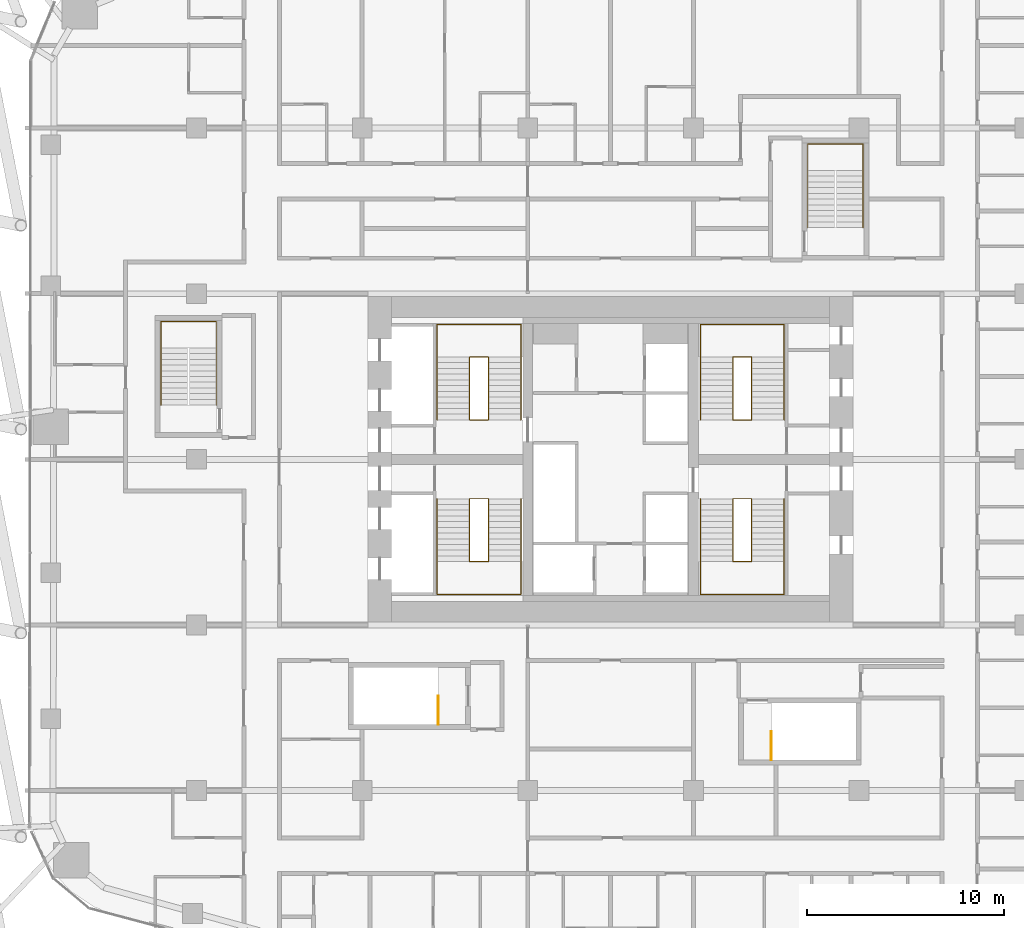
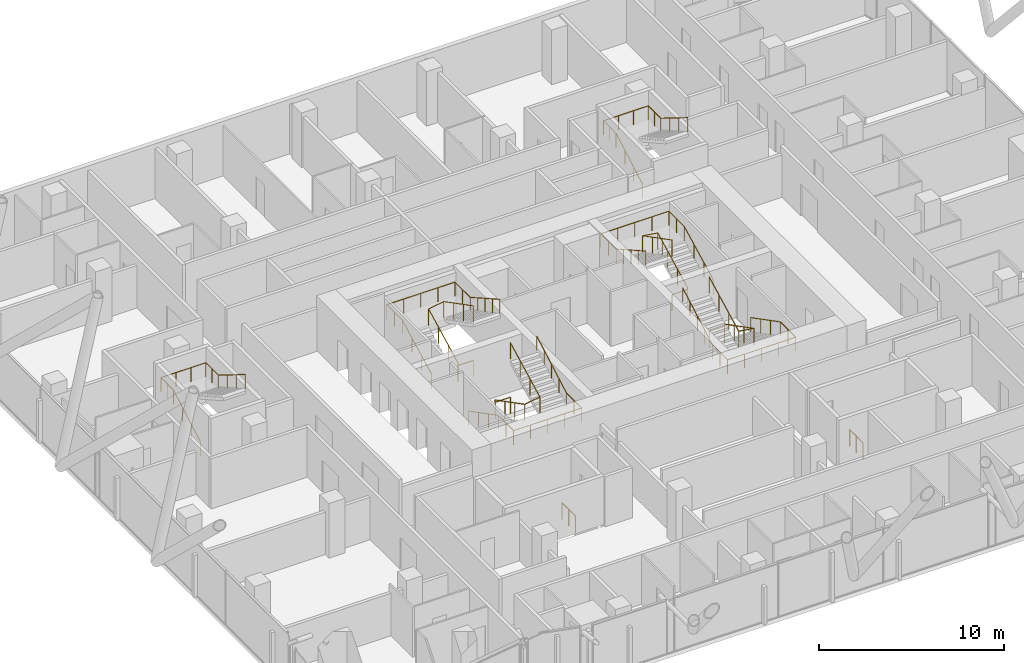
# One storey, part 36 of 36: 12 railings.
"""IFC4 building model written with IfcOpenShell, lengths in metres."""

import ifcopenshell
import ifcopenshell.guid

model = None  # the IFC model being written
_history = None  # IfcOwnerHistory: only IFC2X3 demands one
_inside = {}  # id of a spatial element -> (the spatial element, [elements in it])
_under = {}  # id of a project, library or spatial element -> (it, [spatial elements below it])
_declared = {}  # id of a project -> (the project, [libraries it declares])
_typed = {}  # id of a type object -> (the type object, [elements of that type])
_made_of = {}  # id of a material, layer set ... -> (it, [elements and type objects made of it])


def new_model(schema):
    """Start an empty IFC model of exactly this schema.

    Asked for "IFC4X3", IfcOpenShell would pick the latest addendum, in which some entities
    have other attributes; the version numbers below select the first issue.
    IFC2X3 requires an IfcOwnerHistory on every rooted entity: one is made here for all.
    """
    global model, _history
    if schema == "IFC4X3":
        model = ifcopenshell.file(schema_version=(4, 3, 0, 0))
    else:
        model = ifcopenshell.file(schema=schema)
    _inside.clear()
    _under.clear()
    _declared.clear()
    _typed.clear()
    _made_of.clear()
    _history = None
    if model.schema == "IFC2X3":
        org = make("IfcOrganization", Name="unknown")
        user = make(
            "IfcPersonAndOrganization",
            ThePerson=make("IfcPerson", FamilyName="unknown"),
            TheOrganization=org,
        )
        app = make(
            "IfcApplication",
            ApplicationDeveloper=org,
            Version="unknown",
            ApplicationFullName="unknown",
            ApplicationIdentifier="unknown",
        )
        _history = make(
            "IfcOwnerHistory",
            OwningUser=user,
            OwningApplication=app,
            ChangeAction="ADDED",
            CreationDate=0,
        )
    return model


def make(cls, **values):
    """One entity of the class cls with the attributes given. An attribute that is None is left unset."""
    return model.create_entity(
        cls, **{name: value for name, value in values.items() if value is not None}
    )


def rooted(cls, **values):
    """An entity with a GlobalId (a new one), such as an element, a storey or a relation."""
    return make(cls, GlobalId=ifcopenshell.guid.new(), OwnerHistory=_history, **values)


def si_unit(unit_type, name, prefix=None):
    """IfcSIUnit, for example si_unit("LENGTHUNIT", "METRE", prefix="MILLI")."""
    return make("IfcSIUnit", UnitType=unit_type, Prefix=prefix, Name=name)


def assignment(units):
    """IfcUnitAssignment: the units of a project."""
    return None if units is None else make("IfcUnitAssignment", Units=units)


def point(xyz):
    """IfcCartesianPoint."""
    return None if xyz is None else make("IfcCartesianPoint", Coordinates=xyz)


def direction(xyz):
    """IfcDirection."""
    return None if xyz is None else make("IfcDirection", DirectionRatios=xyz)


def frame(location, z_axis=None, x_axis=None):
    """IfcAxis2Placement3D, a coordinate frame: its origin and axes. An axis left out is left unset."""
    return make(
        "IfcAxis2Placement3D",
        Location=point(location),
        Axis=direction(z_axis),
        RefDirection=direction(x_axis),
    )


def frame_2d(location, x_axis=None):
    """IfcAxis2Placement2D, a coordinate frame in the plane: its origin and x axis."""
    return make(
        "IfcAxis2Placement2D", Location=point(location), RefDirection=direction(x_axis)
    )


def origin():
    """The frame at (0, 0, 0) with its axes left unset."""
    return frame((0.0, 0.0, 0.0))


def origin_2d():
    """The frame at (0, 0) in the plane with its x axis left unset."""
    return frame_2d((0.0, 0.0))


def place(relative_to, where):
    """IfcLocalPlacement: puts the frame where relative to a parent placement (None: the world)."""
    return make(
        "IfcLocalPlacement", PlacementRelTo=relative_to, RelativePlacement=where
    )


def context(
    kind, dimensions, precision=None, world=None, true_north=None, identifier=None
):
    """IfcGeometricRepresentationContext, for example the 3D "Model" context."""
    return make(
        "IfcGeometricRepresentationContext",
        ContextIdentifier=identifier,
        ContextType=kind,
        CoordinateSpaceDimension=dimensions,
        Precision=precision,
        WorldCoordinateSystem=world,
        TrueNorth=true_north,
    )


def subcontext(parent, identifier, kind, view, scale=None):
    """IfcGeometricRepresentationSubContext, for example "Body" below "Model"."""
    return make(
        "IfcGeometricRepresentationSubContext",
        ContextIdentifier=identifier,
        ContextType=kind,
        ParentContext=parent,
        TargetScale=scale,
        TargetView=view,
    )


def project(units=None, contexts=None):
    """IfcProject with its units and contexts."""
    return rooted(
        "IfcProject",
        Name="project",
        RepresentationContexts=contexts,
        UnitsInContext=assignment(units),
    )


def spatial(cls, under=None, at=None, **own):
    """A site, building, storey or space (cls), placed at a placement, below another one or the project."""
    s = rooted(cls, ObjectPlacement=at, **own)
    if under is not None:
        _under.setdefault(under.id(), (under, []))[1].append(s)
    return s


def profile(cls, at=None, kind="AREA", **sizes):
    """A parametric profile (cls). Its sizes go by their IFC names, for example OverallWidth=200.0."""
    return make(cls, ProfileType=kind, Position=at, **sizes)


def circle(**sizes):
    """IfcCircleProfileDef."""
    return profile("IfcCircleProfileDef", **sizes)


def extrude(swept, where, along, depth):
    """IfcExtrudedAreaSolid: the profile swept, set in the frame where, extruded along a direction by depth."""
    return make(
        "IfcExtrudedAreaSolid",
        SweptArea=swept,
        Position=where,
        ExtrudedDirection=direction(along),
        Depth=depth,
    )


def shape(context_of_items, identifier, shape_type, items):
    """IfcShapeRepresentation: the items that make up one representation, for example the "Body"."""
    return make(
        "IfcShapeRepresentation",
        ContextOfItems=context_of_items,
        RepresentationIdentifier=identifier,
        RepresentationType=shape_type,
        Items=items,
    )


def material(Name=None, Category=None):
    """IfcMaterial."""
    return make("IfcMaterial", Name=Name, Category=Category)


def made_of(thing, what):
    """Note that an element or type object is made of a material, layer set ...; save() writes the relation."""
    if what is not None:
        _made_of.setdefault(what.id(), (what, []))[1].append(thing)
    return thing


def type_object(cls, material=None, **own):
    """A type object (cls), such as IfcWallType, which elements share."""
    return made_of(rooted(cls, **own), material)


def element(
    cls,
    number,
    at=None,
    inside=None,
    cuts=None,
    type_object=None,
    material=None,
    context=None,
    identifier="Body",
    shape_type=None,
    held_by="IfcProductDefinitionShape",
    body=None,
    shapes=None,
    **own,
):
    """One element of the class cls, such as IfcWall. Its Tag is "e" and its number.

    at: its placement. inside: the storey or other place that contains it. cuts: it is an
    opening in that element (IfcRelVoidsElement). A single representation is given by context,
    identifier, shape_type and body (its items); several are given by shapes. held_by: the class
    of the entity that holds the representations. save() writes the other relations.
    """
    e = rooted(cls, Tag="e%d" % number, ObjectPlacement=at, **own)
    if body is not None:
        shapes = [shape(context, identifier, shape_type, body)]
    if shapes is not None:
        e.Representation = make(held_by, Representations=shapes)
    if inside is not None:
        _inside.setdefault(inside.id(), (inside, []))[1].append(e)
    if cuts is not None:
        rooted(
            "IfcRelVoidsElement", RelatingBuildingElement=cuts, RelatedOpeningElement=e
        )
    if type_object is not None:
        _typed.setdefault(type_object.id(), (type_object, []))[1].append(e)
    return made_of(e, material)


def aggregate(whole, parts):
    """IfcRelAggregates: a whole, such as a stair, and the parts it consists of."""
    return rooted("IfcRelAggregates", RelatingObject=whole, RelatedObjects=parts)


def save(model, path):
    """Write the relations noted so far, then the file.

    IfcRelAggregates (storeys below a building ...), IfcRelContainedInSpatialStructure (elements
    in a storey), IfcRelDefinesByType, IfcRelAssociatesMaterial and IfcRelDeclares: one each for
    every whole, place, type object, material and project.
    """
    for whole, parts in _under.values():
        aggregate(whole, parts)
    for where, things in _inside.values():
        rooted(
            "IfcRelContainedInSpatialStructure",
            RelatedElements=things,
            RelatingStructure=where,
        )
    for kind, things in _typed.values():
        rooted("IfcRelDefinesByType", RelatedObjects=things, RelatingType=kind)
    for what, things in _made_of.values():
        rooted("IfcRelAssociatesMaterial", RelatedObjects=things, RelatingMaterial=what)
    for by, libraries in _declared.values():
        rooted("IfcRelDeclares", RelatingContext=by, RelatedDefinitions=libraries)
    model.write(path)


model = new_model("IFC4")

# Units and contexts
model_context = context("Model", 3, precision=1e-05, world=origin(), true_north=direction((0.0, 1.0)))
body_context = subcontext(model_context, "Body", "Model", "MODEL_VIEW")
ifc_project = project(units=[si_unit("LENGTHUNIT", "METRE"), si_unit("AREAUNIT", "SQUARE_METRE"), si_unit("VOLUMEUNIT", "CUBIC_METRE"), si_unit("PLANEANGLEUNIT", "RADIAN"), si_unit("MASSUNIT", "GRAM", prefix="KILO")], contexts=[model_context])

# Site, building, storey
site_placement = place(None, origin())
site = spatial("IfcSite", under=ifc_project, at=site_placement, CompositionType="ELEMENT")
building_placement = place(site_placement, origin())
building = spatial("IfcBuilding", under=site, at=building_placement, Name="Marenta Gate Hotel Tower", CompositionType="ELEMENT")
storey_placement = place(building_placement, frame((0.0, 0.0, 83.300048828125)))
storey = spatial("IfcBuildingStorey", under=building, at=storey_placement, Name="L19", CompositionType="ELEMENT", Elevation=83.300048828125)

# Railings
ifc_material_1 = material(Name="Stainless steel", Category="steel")
railing_type_1 = type_object("IfcRailingType", Name="Core stair handrail 950", PredefinedType="HANDRAIL", material=ifc_material_1)
railing_1_placement = place(storey_placement, frame((-8.800048828125, 6.39990234375, 0.14990234375)))
element("IfcRailing", 1, at=railing_1_placement, inside=storey, type_object=railing_type_1, Name="HR-950 L19-KR-ST1-1", PredefinedType="HANDRAIL", context=body_context, shape_type="SweptSolid", body=[
    extrude(circle(Radius=0.02392578125, at=origin_2d()), frame((0.0, 0.0, 0.92578125), z_axis=(0.0, -0.888197555067, 0.459461753765), x_axis=(1.0, 0.0, 0.0)), (0.0, 0.0, 1.0), 3.591552734375),
    extrude(circle(Radius=0.02392578125, at=origin_2d()), frame((0.0, -3.18994140625, 2.576171875), z_axis=(0.0, -1.0, 0.0), x_axis=(1.0, 0.0, 0.0)), (0.0, 0.0, 1.0), 1.659912109375),
    extrude(circle(Radius=0.02392578125, at=origin_2d()), frame((0.0, -4.849853515625, 2.576171875), z_axis=(1.0, 0.0, 0.0), x_axis=(0.0, 1.0, 0.0)), (0.0, 0.0, 1.0), 4.25),
    extrude(circle(Radius=0.02392578125, at=origin_2d()), frame((4.25, -4.849853515625, 2.576171875), z_axis=(0.0, 1.0, 0.0), x_axis=(-1.0, 0.0, 0.0)), (0.0, 0.0, 1.0), 1.659912109375),
    extrude(circle(Radius=0.02392578125, at=origin_2d()), frame((4.25, -3.18994140625, 2.576171875), z_axis=(0.0, 0.870937506535, 0.491393792911), x_axis=(-1.0, 0.0, 0.0)), (0.0, 0.0, 1.0), 3.66259765625),
    extrude(circle(Radius=0.02099609375, at=origin_2d()), origin(), (0.0, 0.0, 1.0), 0.90185546875),
    extrude(circle(Radius=0.02099609375, at=origin_2d()), frame((0.0, -1.063232421875, 0.550048828125)), (0.0, 0.0, 1.0), 0.90185546875),
    extrude(circle(Radius=0.02099609375, at=origin_2d()), frame((0.0, -2.126708984375, 1.10009765625)), (0.0, 0.0, 1.0), 0.90185546875),
    extrude(circle(Radius=0.02099609375, at=origin_2d()), frame((0.0, -3.18994140625, 1.650146484375)), (0.0, 0.0, 1.0), 0.90185546875),
    extrude(circle(Radius=0.02099609375, at=origin_2d()), frame((0.0, -4.02001953125, 1.650146484375)), (0.0, 0.0, 1.0), 0.90185546875),
    extrude(circle(Radius=0.02099609375, at=origin_2d()), frame((0.0, -4.849853515625, 1.650146484375)), (0.0, 0.0, 1.0), 0.90185546875),
    extrude(circle(Radius=0.02099609375, at=origin_2d()), frame((1.0625, -4.849853515625, 1.650146484375)), (0.0, 0.0, 1.0), 0.90185546875),
    extrude(circle(Radius=0.02099609375, at=origin_2d()), frame((2.125, -4.849853515625, 1.650146484375)), (0.0, 0.0, 1.0), 0.90185546875),
    extrude(circle(Radius=0.02099609375, at=origin_2d()), frame((3.1875, -4.849853515625, 1.650146484375)), (0.0, 0.0, 1.0), 0.90185546875),
    extrude(circle(Radius=0.02099609375, at=origin_2d()), frame((4.25, -4.849853515625, 1.650146484375)), (0.0, 0.0, 1.0), 0.90185546875),
    extrude(circle(Radius=0.02099609375, at=origin_2d()), frame((4.25, -4.02001953125, 1.650146484375)), (0.0, 0.0, 1.0), 0.90185546875),
    extrude(circle(Radius=0.02099609375, at=origin_2d()), frame((4.25, -3.18994140625, 1.650146484375)), (0.0, 0.0, 1.0), 0.90185546875),
    extrude(circle(Radius=0.02099609375, at=origin_2d()), frame((4.25, -2.392578125, 2.10009765625)), (0.0, 0.0, 1.0), 0.90185546875),
    extrude(circle(Radius=0.02099609375, at=origin_2d()), frame((4.25, -1.594970703125, 2.550048828125)), (0.0, 0.0, 1.0), 0.90185546875),
    extrude(circle(Radius=0.02099609375, at=origin_2d()), frame((4.25, -0.79736328125, 3.0)), (0.0, 0.0, 1.0), 0.90185546875),
    extrude(circle(Radius=0.02099609375, at=origin_2d()), frame((4.25, 0.0, 3.449951171875)), (0.0, 0.0, 1.0), 0.90185546875),
])
railing_2_placement = place(storey_placement, frame((-8.800048828125, 10.39990234375, 0.14990234375)))
element("IfcRailing", 2, at=railing_2_placement, inside=storey, type_object=railing_type_1, Name="HR-950 L19-KR-ST2-1", PredefinedType="HANDRAIL", context=body_context, shape_type="SweptSolid", body=[
    extrude(circle(Radius=0.02392578125, at=origin_2d()), frame((0.0, 0.0, 0.92578125), z_axis=(0.0, 0.888211904222, 0.459434013977), x_axis=(-1.0, 0.0, 0.0)), (0.0, 0.0, 1.0), 3.591796875),
    extrude(circle(Radius=0.02392578125, at=origin_2d()), frame((0.0, 3.190185546875, 2.576171875), z_axis=(0.0, 1.0, 0.0), x_axis=(-1.0, 0.0, 0.0)), (0.0, 0.0, 1.0), 1.659912109375),
    extrude(circle(Radius=0.02392578125, at=origin_2d()), frame((0.0, 4.85009765625, 2.576171875), z_axis=(1.0, 0.0, 0.0), x_axis=(0.0, 1.0, 0.0)), (0.0, 0.0, 1.0), 4.25),
    extrude(circle(Radius=0.02392578125, at=origin_2d()), frame((4.25, 4.85009765625, 2.576171875), z_axis=(0.0, -1.0, 0.0), x_axis=(1.0, 0.0, 0.0)), (0.0, 0.0, 1.0), 1.659912109375),
    extrude(circle(Radius=0.02392578125, at=origin_2d()), frame((4.25, 3.190185546875, 2.576171875), z_axis=(0.0, -0.870953600603, 0.491365266982), x_axis=(1.0, 0.0, 0.0)), (0.0, 0.0, 1.0), 3.662841796875),
    extrude(circle(Radius=0.02099609375, at=origin_2d()), origin(), (0.0, 0.0, 1.0), 0.90185546875),
    extrude(circle(Radius=0.02099609375, at=origin_2d()), frame((0.0, 1.0634765625, 0.550048828125)), (0.0, 0.0, 1.0), 0.90185546875),
    extrude(circle(Radius=0.02099609375, at=origin_2d()), frame((0.0, 2.126708984375, 1.10009765625)), (0.0, 0.0, 1.0), 0.90185546875),
    extrude(circle(Radius=0.02099609375, at=origin_2d()), frame((0.0, 3.190185546875, 1.650146484375)), (0.0, 0.0, 1.0), 0.90185546875),
    extrude(circle(Radius=0.02099609375, at=origin_2d()), frame((0.0, 4.02001953125, 1.650146484375)), (0.0, 0.0, 1.0), 0.90185546875),
    extrude(circle(Radius=0.02099609375, at=origin_2d()), frame((0.0, 4.85009765625, 1.650146484375)), (0.0, 0.0, 1.0), 0.90185546875),
    extrude(circle(Radius=0.02099609375, at=origin_2d()), frame((1.0625, 4.85009765625, 1.650146484375)), (0.0, 0.0, 1.0), 0.90185546875),
    extrude(circle(Radius=0.02099609375, at=origin_2d()), frame((2.125, 4.85009765625, 1.650146484375)), (0.0, 0.0, 1.0), 0.90185546875),
    extrude(circle(Radius=0.02099609375, at=origin_2d()), frame((3.1875, 4.85009765625, 1.650146484375)), (0.0, 0.0, 1.0), 0.90185546875),
    extrude(circle(Radius=0.02099609375, at=origin_2d()), frame((4.25, 4.85009765625, 1.650146484375)), (0.0, 0.0, 1.0), 0.90185546875),
    extrude(circle(Radius=0.02099609375, at=origin_2d()), frame((4.25, 4.02001953125, 1.650146484375)), (0.0, 0.0, 1.0), 0.90185546875),
    extrude(circle(Radius=0.02099609375, at=origin_2d()), frame((4.25, 3.190185546875, 1.650146484375)), (0.0, 0.0, 1.0), 0.90185546875),
    extrude(circle(Radius=0.02099609375, at=origin_2d()), frame((4.25, 2.392578125, 2.10009765625)), (0.0, 0.0, 1.0), 0.90185546875),
    extrude(circle(Radius=0.02099609375, at=origin_2d()), frame((4.25, 1.59521484375, 2.550048828125)), (0.0, 0.0, 1.0), 0.90185546875),
    extrude(circle(Radius=0.02099609375, at=origin_2d()), frame((4.25, 0.797607421875, 3.0)), (0.0, 0.0, 1.0), 0.90185546875),
    extrude(circle(Radius=0.02099609375, at=origin_2d()), frame((4.25, 0.0, 3.449951171875)), (0.0, 0.0, 1.0), 0.90185546875),
])
railing_3_placement = place(storey_placement, frame((8.800048828125, 6.39990234375, 0.14990234375)))
element("IfcRailing", 3, at=railing_3_placement, inside=storey, type_object=railing_type_1, Name="HR-950 L19-KR-ST3-1", PredefinedType="HANDRAIL", context=body_context, shape_type="SweptSolid", body=[
    extrude(circle(Radius=0.02392578125, at=origin_2d()), frame((0.0, 0.0, 0.92578125), z_axis=(0.0, -0.888197555067, 0.459461753765), x_axis=(1.0, 0.0, 0.0)), (0.0, 0.0, 1.0), 3.591552734375),
    extrude(circle(Radius=0.02392578125, at=origin_2d()), frame((0.0, -3.18994140625, 2.576171875), z_axis=(0.0, -1.0, 0.0), x_axis=(1.0, 0.0, 0.0)), (0.0, 0.0, 1.0), 1.659912109375),
    extrude(circle(Radius=0.02392578125, at=origin_2d()), frame((0.0, -4.849853515625, 2.576171875), z_axis=(-1.0, 0.0, 0.0), x_axis=(0.0, -1.0, 0.0)), (0.0, 0.0, 1.0), 4.25),
    extrude(circle(Radius=0.02392578125, at=origin_2d()), frame((-4.25, -4.849853515625, 2.576171875), z_axis=(0.0, 1.0, 0.0), x_axis=(-1.0, 0.0, 0.0)), (0.0, 0.0, 1.0), 1.659912109375),
    extrude(circle(Radius=0.02392578125, at=origin_2d()), frame((-4.25, -3.18994140625, 2.576171875), z_axis=(0.0, 0.870937506535, 0.491393792911), x_axis=(-1.0, 0.0, 0.0)), (0.0, 0.0, 1.0), 3.66259765625),
    extrude(circle(Radius=0.02099609375, at=origin_2d()), origin(), (0.0, 0.0, 1.0), 0.90185546875),
    extrude(circle(Radius=0.02099609375, at=origin_2d()), frame((0.0, -1.063232421875, 0.550048828125)), (0.0, 0.0, 1.0), 0.90185546875),
    extrude(circle(Radius=0.02099609375, at=origin_2d()), frame((0.0, -2.126708984375, 1.10009765625)), (0.0, 0.0, 1.0), 0.90185546875),
    extrude(circle(Radius=0.02099609375, at=origin_2d()), frame((0.0, -3.18994140625, 1.650146484375)), (0.0, 0.0, 1.0), 0.90185546875),
    extrude(circle(Radius=0.02099609375, at=origin_2d()), frame((0.0, -4.02001953125, 1.650146484375)), (0.0, 0.0, 1.0), 0.90185546875),
    extrude(circle(Radius=0.02099609375, at=origin_2d()), frame((0.0, -4.849853515625, 1.650146484375)), (0.0, 0.0, 1.0), 0.90185546875),
    extrude(circle(Radius=0.02099609375, at=origin_2d()), frame((-1.0625, -4.849853515625, 1.650146484375)), (0.0, 0.0, 1.0), 0.90185546875),
    extrude(circle(Radius=0.02099609375, at=origin_2d()), frame((-2.125, -4.849853515625, 1.650146484375)), (0.0, 0.0, 1.0), 0.90185546875),
    extrude(circle(Radius=0.02099609375, at=origin_2d()), frame((-3.1875, -4.849853515625, 1.650146484375)), (0.0, 0.0, 1.0), 0.90185546875),
    extrude(circle(Radius=0.02099609375, at=origin_2d()), frame((-4.25, -4.849853515625, 1.650146484375)), (0.0, 0.0, 1.0), 0.90185546875),
    extrude(circle(Radius=0.02099609375, at=origin_2d()), frame((-4.25, -4.02001953125, 1.650146484375)), (0.0, 0.0, 1.0), 0.90185546875),
    extrude(circle(Radius=0.02099609375, at=origin_2d()), frame((-4.25, -3.18994140625, 1.650146484375)), (0.0, 0.0, 1.0), 0.90185546875),
    extrude(circle(Radius=0.02099609375, at=origin_2d()), frame((-4.25, -2.392578125, 2.10009765625)), (0.0, 0.0, 1.0), 0.90185546875),
    extrude(circle(Radius=0.02099609375, at=origin_2d()), frame((-4.25, -1.594970703125, 2.550048828125)), (0.0, 0.0, 1.0), 0.90185546875),
    extrude(circle(Radius=0.02099609375, at=origin_2d()), frame((-4.25, -0.79736328125, 3.0)), (0.0, 0.0, 1.0), 0.90185546875),
    extrude(circle(Radius=0.02099609375, at=origin_2d()), frame((-4.25, 0.0, 3.449951171875)), (0.0, 0.0, 1.0), 0.90185546875),
])
railing_4_placement = place(storey_placement, frame((8.800048828125, 10.39990234375, 0.14990234375)))
element("IfcRailing", 4, at=railing_4_placement, inside=storey, type_object=railing_type_1, Name="HR-950 L19-KR-ST4-1", PredefinedType="HANDRAIL", context=body_context, shape_type="SweptSolid", body=[
    extrude(circle(Radius=0.02392578125, at=origin_2d()), frame((0.0, 0.0, 0.92578125), z_axis=(0.0, 0.888211904222, 0.459434013977), x_axis=(-1.0, 0.0, 0.0)), (0.0, 0.0, 1.0), 3.591796875),
    extrude(circle(Radius=0.02392578125, at=origin_2d()), frame((0.0, 3.190185546875, 2.576171875), z_axis=(0.0, 1.0, 0.0), x_axis=(-1.0, 0.0, 0.0)), (0.0, 0.0, 1.0), 1.659912109375),
    extrude(circle(Radius=0.02392578125, at=origin_2d()), frame((0.0, 4.85009765625, 2.576171875), z_axis=(-1.0, 0.0, 0.0), x_axis=(0.0, -1.0, 0.0)), (0.0, 0.0, 1.0), 4.25),
    extrude(circle(Radius=0.02392578125, at=origin_2d()), frame((-4.25, 4.85009765625, 2.576171875), z_axis=(0.0, -1.0, 0.0), x_axis=(1.0, 0.0, 0.0)), (0.0, 0.0, 1.0), 1.659912109375),
    extrude(circle(Radius=0.02392578125, at=origin_2d()), frame((-4.25, 3.190185546875, 2.576171875), z_axis=(0.0, -0.870953600603, 0.491365266982), x_axis=(1.0, 0.0, 0.0)), (0.0, 0.0, 1.0), 3.662841796875),
    extrude(circle(Radius=0.02099609375, at=origin_2d()), origin(), (0.0, 0.0, 1.0), 0.90185546875),
    extrude(circle(Radius=0.02099609375, at=origin_2d()), frame((0.0, 1.0634765625, 0.550048828125)), (0.0, 0.0, 1.0), 0.90185546875),
    extrude(circle(Radius=0.02099609375, at=origin_2d()), frame((0.0, 2.126708984375, 1.10009765625)), (0.0, 0.0, 1.0), 0.90185546875),
    extrude(circle(Radius=0.02099609375, at=origin_2d()), frame((0.0, 3.190185546875, 1.650146484375)), (0.0, 0.0, 1.0), 0.90185546875),
    extrude(circle(Radius=0.02099609375, at=origin_2d()), frame((0.0, 4.02001953125, 1.650146484375)), (0.0, 0.0, 1.0), 0.90185546875),
    extrude(circle(Radius=0.02099609375, at=origin_2d()), frame((0.0, 4.85009765625, 1.650146484375)), (0.0, 0.0, 1.0), 0.90185546875),
    extrude(circle(Radius=0.02099609375, at=origin_2d()), frame((-1.0625, 4.85009765625, 1.650146484375)), (0.0, 0.0, 1.0), 0.90185546875),
    extrude(circle(Radius=0.02099609375, at=origin_2d()), frame((-2.125, 4.85009765625, 1.650146484375)), (0.0, 0.0, 1.0), 0.90185546875),
    extrude(circle(Radius=0.02099609375, at=origin_2d()), frame((-3.1875, 4.85009765625, 1.650146484375)), (0.0, 0.0, 1.0), 0.90185546875),
    extrude(circle(Radius=0.02099609375, at=origin_2d()), frame((-4.25, 4.85009765625, 1.650146484375)), (0.0, 0.0, 1.0), 0.90185546875),
    extrude(circle(Radius=0.02099609375, at=origin_2d()), frame((-4.25, 4.02001953125, 1.650146484375)), (0.0, 0.0, 1.0), 0.90185546875),
    extrude(circle(Radius=0.02099609375, at=origin_2d()), frame((-4.25, 3.190185546875, 1.650146484375)), (0.0, 0.0, 1.0), 0.90185546875),
    extrude(circle(Radius=0.02099609375, at=origin_2d()), frame((-4.25, 2.392578125, 2.10009765625)), (0.0, 0.0, 1.0), 0.90185546875),
    extrude(circle(Radius=0.02099609375, at=origin_2d()), frame((-4.25, 1.59521484375, 2.550048828125)), (0.0, 0.0, 1.0), 0.90185546875),
    extrude(circle(Radius=0.02099609375, at=origin_2d()), frame((-4.25, 0.797607421875, 3.0)), (0.0, 0.0, 1.0), 0.90185546875),
    extrude(circle(Radius=0.02099609375, at=origin_2d()), frame((-4.25, 0.0, 3.449951171875)), (0.0, 0.0, 1.0), 0.90185546875),
])
railing_5_placement = place(storey_placement, frame((-22.800048828125, 11.14990234375, 0.16357421875)))
element("IfcRailing", 5, at=railing_5_placement, inside=storey, type_object=railing_type_1, Name="HR-950 L19-RS-Z1-3-KR-1", PredefinedType="HANDRAIL", context=body_context, shape_type="SweptSolid", body=[
    extrude(circle(Radius=0.02392578125, at=origin_2d()), frame((0.0, 0.0, 0.92578125), z_axis=(0.0, 0.870914908162, 0.491433843708), x_axis=(-1.0, 0.0, 0.0)), (0.0, 0.0, 1.0), 3.330078125),
    extrude(circle(Radius=0.02392578125, at=origin_2d()), frame((0.0, 2.900146484375, 2.5625), z_axis=(0.0, 1.0, 0.0), x_axis=(-1.0, 0.0, 0.0)), (0.0, 0.0, 1.0), 1.349853515625),
    extrude(circle(Radius=0.02392578125, at=origin_2d()), frame((0.0, 4.25, 2.5625), z_axis=(1.0, 0.0, 0.0), x_axis=(0.0, 1.0, 0.0)), (0.0, 0.0, 1.0), 2.800048828125),
    extrude(circle(Radius=0.02392578125, at=origin_2d()), frame((2.800048828125, 4.25, 2.5625), z_axis=(0.0, -1.0, 0.0), x_axis=(1.0, 0.0, 0.0)), (0.0, 0.0, 1.0), 1.349853515625),
    extrude(circle(Radius=0.02392578125, at=origin_2d()), frame((2.800048828125, 2.900146484375, 2.5625), z_axis=(0.0, -0.849677739116, 0.527302322819), x_axis=(1.0, 0.0, 0.0)), (0.0, 0.0, 1.0), 3.413330078125),
    extrude(circle(Radius=0.02099609375, at=origin_2d()), origin(), (0.0, 0.0, 1.0), 0.90185546875),
    extrude(circle(Radius=0.02099609375, at=origin_2d()), frame((0.0, 0.966796875, 0.54541015625)), (0.0, 0.0, 1.0), 0.90185546875),
    extrude(circle(Radius=0.02099609375, at=origin_2d()), frame((0.0, 1.933349609375, 1.091064453125)), (0.0, 0.0, 1.0), 0.90185546875),
    extrude(circle(Radius=0.02099609375, at=origin_2d()), frame((0.0, 2.900146484375, 1.636474609375)), (0.0, 0.0, 1.0), 0.90185546875),
    extrude(circle(Radius=0.02099609375, at=origin_2d()), frame((0.0, 3.5751953125, 1.636474609375)), (0.0, 0.0, 1.0), 0.90185546875),
    extrude(circle(Radius=0.02099609375, at=origin_2d()), frame((0.0, 4.25, 1.636474609375)), (0.0, 0.0, 1.0), 0.90185546875),
    extrude(circle(Radius=0.02099609375, at=origin_2d()), frame((0.933349609375, 4.25, 1.636474609375)), (0.0, 0.0, 1.0), 0.90185546875),
    extrude(circle(Radius=0.02099609375, at=origin_2d()), frame((1.86669921875, 4.25, 1.636474609375)), (0.0, 0.0, 1.0), 0.90185546875),
    extrude(circle(Radius=0.02099609375, at=origin_2d()), frame((2.800048828125, 4.25, 1.636474609375)), (0.0, 0.0, 1.0), 0.90185546875),
    extrude(circle(Radius=0.02099609375, at=origin_2d()), frame((2.800048828125, 3.5751953125, 1.636474609375)), (0.0, 0.0, 1.0), 0.90185546875),
    extrude(circle(Radius=0.02099609375, at=origin_2d()), frame((2.800048828125, 2.900146484375, 1.636474609375)), (0.0, 0.0, 1.0), 0.90185546875),
    extrude(circle(Radius=0.02099609375, at=origin_2d()), frame((2.800048828125, 1.933349609375, 2.236328125)), (0.0, 0.0, 1.0), 0.90185546875),
    extrude(circle(Radius=0.02099609375, at=origin_2d()), frame((2.800048828125, 0.966796875, 2.83642578125)), (0.0, 0.0, 1.0), 0.90185546875),
    extrude(circle(Radius=0.02099609375, at=origin_2d()), frame((2.800048828125, 0.0, 3.436279296875)), (0.0, 0.0, 1.0), 0.90185546875),
])
railing_6_placement = place(storey_placement, frame((10.0, 20.14990234375, 0.16357421875)))
element("IfcRailing", 6, at=railing_6_placement, inside=storey, type_object=railing_type_1, Name="HR-950 L19-RS-Z1-4-KR-1", PredefinedType="HANDRAIL", context=body_context, shape_type="SweptSolid", body=[
    extrude(circle(Radius=0.02392578125, at=origin_2d()), frame((0.0, 0.0, 0.92578125), z_axis=(0.0, 0.870914908162, 0.491433843708), x_axis=(-1.0, 0.0, 0.0)), (0.0, 0.0, 1.0), 3.330078125),
    extrude(circle(Radius=0.02392578125, at=origin_2d()), frame((0.0, 2.900146484375, 2.5625), z_axis=(0.0, 1.0, 0.0), x_axis=(-1.0, 0.0, 0.0)), (0.0, 0.0, 1.0), 1.349853515625),
    extrude(circle(Radius=0.02392578125, at=origin_2d()), frame((0.0, 4.25, 2.5625), z_axis=(1.0, 0.0, 0.0), x_axis=(0.0, 1.0, 0.0)), (0.0, 0.0, 1.0), 2.800048828125),
    extrude(circle(Radius=0.02392578125, at=origin_2d()), frame((2.800048828125, 4.25, 2.5625), z_axis=(0.0, -1.0, 0.0), x_axis=(1.0, 0.0, 0.0)), (0.0, 0.0, 1.0), 1.349853515625),
    extrude(circle(Radius=0.02392578125, at=origin_2d()), frame((2.800048828125, 2.900146484375, 2.5625), z_axis=(0.0, -0.849677739116, 0.527302322819), x_axis=(1.0, 0.0, 0.0)), (0.0, 0.0, 1.0), 3.413330078125),
    extrude(circle(Radius=0.02099609375, at=origin_2d()), origin(), (0.0, 0.0, 1.0), 0.90185546875),
    extrude(circle(Radius=0.02099609375, at=origin_2d()), frame((0.0, 0.966796875, 0.54541015625)), (0.0, 0.0, 1.0), 0.90185546875),
    extrude(circle(Radius=0.02099609375, at=origin_2d()), frame((0.0, 1.933349609375, 1.091064453125)), (0.0, 0.0, 1.0), 0.90185546875),
    extrude(circle(Radius=0.02099609375, at=origin_2d()), frame((0.0, 2.900146484375, 1.636474609375)), (0.0, 0.0, 1.0), 0.90185546875),
    extrude(circle(Radius=0.02099609375, at=origin_2d()), frame((0.0, 3.5751953125, 1.636474609375)), (0.0, 0.0, 1.0), 0.90185546875),
    extrude(circle(Radius=0.02099609375, at=origin_2d()), frame((0.0, 4.25, 1.636474609375)), (0.0, 0.0, 1.0), 0.90185546875),
    extrude(circle(Radius=0.02099609375, at=origin_2d()), frame((0.933349609375, 4.25, 1.636474609375)), (0.0, 0.0, 1.0), 0.90185546875),
    extrude(circle(Radius=0.02099609375, at=origin_2d()), frame((1.86669921875, 4.25, 1.636474609375)), (0.0, 0.0, 1.0), 0.90185546875),
    extrude(circle(Radius=0.02099609375, at=origin_2d()), frame((2.800048828125, 4.25, 1.636474609375)), (0.0, 0.0, 1.0), 0.90185546875),
    extrude(circle(Radius=0.02099609375, at=origin_2d()), frame((2.800048828125, 3.5751953125, 1.636474609375)), (0.0, 0.0, 1.0), 0.90185546875),
    extrude(circle(Radius=0.02099609375, at=origin_2d()), frame((2.800048828125, 2.900146484375, 1.636474609375)), (0.0, 0.0, 1.0), 0.90185546875),
    extrude(circle(Radius=0.02099609375, at=origin_2d()), frame((2.800048828125, 1.933349609375, 2.236328125)), (0.0, 0.0, 1.0), 0.90185546875),
    extrude(circle(Radius=0.02099609375, at=origin_2d()), frame((2.800048828125, 0.966796875, 2.83642578125)), (0.0, 0.0, 1.0), 0.90185546875),
    extrude(circle(Radius=0.02099609375, at=origin_2d()), frame((2.800048828125, 0.0, 3.436279296875)), (0.0, 0.0, 1.0), 0.90185546875),
])
ifc_material_2 = material(Name="Stainless steel", Category="steel")
railing_type_2 = type_object("IfcRailingType", Name="Core stair well guard 1100", PredefinedType="GUARDRAIL", material=ifc_material_2)
railing_7_placement = place(storey_placement, frame((-6.199951171875, 6.39990234375, 0.0)))
element("IfcRailing", 7, at=railing_7_placement, inside=storey, type_object=railing_type_2, Name="GR-1100 L19-KR-ST1-2", PredefinedType="GUARDRAIL", context=body_context, shape_type="SweptSolid", body=[
    extrude(circle(Radius=0.02392578125, at=origin_2d()), frame((0.0, 0.0, 1.076171875), z_axis=(-1.0, 0.0, 0.0), x_axis=(0.0, -1.0, 0.0)), (0.0, 0.0, 1.0), 0.949951171875),
    extrude(circle(Radius=0.02392578125, at=origin_2d()), frame((-0.949951171875, 0.0, 1.076171875), z_axis=(0.0, 0.0, 1.0), x_axis=(1.0, 0.0, 0.0)), (0.0, 0.0, 1.0), 0.14990234375),
    extrude(circle(Radius=0.02392578125, at=origin_2d()), frame((-0.949951171875, 0.0, 1.22607421875), z_axis=(0.0, -0.888197555067, 0.459461753765), x_axis=(1.0, 0.0, 0.0)), (0.0, 0.0, 1.0), 3.591552734375),
    extrude(circle(Radius=0.02392578125, at=origin_2d()), frame((-0.949951171875, -3.18994140625, 2.8759765625), z_axis=(0.987777369502, 0.0, 0.15587131968), x_axis=(0.0, 1.0, 0.0)), (0.0, 0.0, 1.0), 0.961669921875),
    extrude(circle(Radius=0.02392578125, at=origin_2d()), frame((0.0, -3.18994140625, 3.02587890625), z_axis=(0.0, 0.888225295554, 0.459408123936), x_axis=(-1.0, 0.0, 0.0)), (0.0, 0.0, 1.0), 3.59130859375),
    extrude(circle(Radius=0.02099609375, at=origin_2d()), origin(), (0.0, 0.0, 1.0), 1.052001953125),
    extrude(circle(Radius=0.02099609375, at=origin_2d()), frame((-0.949951171875, 0.0, 0.0)), (0.0, 0.0, 1.0), 1.052001953125),
    extrude(circle(Radius=0.02099609375, at=origin_2d()), frame((-0.949951171875, 0.0, 0.14990234375)), (0.0, 0.0, 1.0), 1.052001953125),
    extrude(circle(Radius=0.02099609375, at=origin_2d()), frame((-0.949951171875, -1.063232421875, 0.699951171875)), (0.0, 0.0, 1.0), 1.052001953125),
    extrude(circle(Radius=0.02099609375, at=origin_2d()), frame((-0.949951171875, -2.126708984375, 1.25)), (0.0, 0.0, 1.0), 1.052001953125),
    extrude(circle(Radius=0.02099609375, at=origin_2d()), frame((-0.949951171875, -3.18994140625, 1.800048828125)), (0.0, 0.0, 1.0), 1.052001953125),
    extrude(circle(Radius=0.02099609375, at=origin_2d()), frame((0.0, -3.18994140625, 1.949951171875)), (0.0, 0.0, 1.0), 1.052001953125),
    extrude(circle(Radius=0.02099609375, at=origin_2d()), frame((0.0, -2.126708984375, 2.5)), (0.0, 0.0, 1.0), 1.052001953125),
    extrude(circle(Radius=0.02099609375, at=origin_2d()), frame((0.0, -1.063232421875, 3.0498046875)), (0.0, 0.0, 1.0), 1.052001953125),
    extrude(circle(Radius=0.02099609375, at=origin_2d()), frame((0.0, 0.0, 3.599853515625)), (0.0, 0.0, 1.0), 1.052001953125),
])
railing_8_placement = place(storey_placement, frame((-6.199951171875, 10.39990234375, 0.0)))
element("IfcRailing", 8, at=railing_8_placement, inside=storey, type_object=railing_type_2, Name="GR-1100 L19-KR-ST2-2", PredefinedType="GUARDRAIL", context=body_context, shape_type="SweptSolid", body=[
    extrude(circle(Radius=0.02392578125, at=origin_2d()), frame((0.0, 0.0, 1.076171875), z_axis=(-1.0, 0.0, 0.0), x_axis=(0.0, -1.0, 0.0)), (0.0, 0.0, 1.0), 0.949951171875),
    extrude(circle(Radius=0.02392578125, at=origin_2d()), frame((-0.949951171875, 0.0, 1.076171875), z_axis=(0.0, 0.0, 1.0), x_axis=(1.0, 0.0, 0.0)), (0.0, 0.0, 1.0), 0.14990234375),
    extrude(circle(Radius=0.02392578125, at=origin_2d()), frame((-0.949951171875, 0.0, 1.22607421875), z_axis=(0.0, 0.888211904222, 0.459434013977), x_axis=(-1.0, 0.0, 0.0)), (0.0, 0.0, 1.0), 3.591796875),
    extrude(circle(Radius=0.02392578125, at=origin_2d()), frame((-0.949951171875, 3.190185546875, 2.8759765625), z_axis=(0.987777369502, 0.0, 0.15587131968), x_axis=(0.0, 1.0, 0.0)), (0.0, 0.0, 1.0), 0.961669921875),
    extrude(circle(Radius=0.02392578125, at=origin_2d()), frame((0.0, 3.190185546875, 3.02587890625), z_axis=(0.0, -0.888239641807, 0.459380385653), x_axis=(1.0, 0.0, 0.0)), (0.0, 0.0, 1.0), 3.591552734375),
    extrude(circle(Radius=0.02099609375, at=origin_2d()), origin(), (0.0, 0.0, 1.0), 1.052001953125),
    extrude(circle(Radius=0.02099609375, at=origin_2d()), frame((-0.949951171875, 0.0, 0.0)), (0.0, 0.0, 1.0), 1.052001953125),
    extrude(circle(Radius=0.02099609375, at=origin_2d()), frame((-0.949951171875, 0.0, 0.14990234375)), (0.0, 0.0, 1.0), 1.052001953125),
    extrude(circle(Radius=0.02099609375, at=origin_2d()), frame((-0.949951171875, 1.0634765625, 0.699951171875)), (0.0, 0.0, 1.0), 1.052001953125),
    extrude(circle(Radius=0.02099609375, at=origin_2d()), frame((-0.949951171875, 2.126708984375, 1.25)), (0.0, 0.0, 1.0), 1.052001953125),
    extrude(circle(Radius=0.02099609375, at=origin_2d()), frame((-0.949951171875, 3.190185546875, 1.800048828125)), (0.0, 0.0, 1.0), 1.052001953125),
    extrude(circle(Radius=0.02099609375, at=origin_2d()), frame((0.0, 3.190185546875, 1.949951171875)), (0.0, 0.0, 1.0), 1.052001953125),
    extrude(circle(Radius=0.02099609375, at=origin_2d()), frame((0.0, 2.126708984375, 2.5)), (0.0, 0.0, 1.0), 1.052001953125),
    extrude(circle(Radius=0.02099609375, at=origin_2d()), frame((0.0, 1.0634765625, 3.0498046875)), (0.0, 0.0, 1.0), 1.052001953125),
    extrude(circle(Radius=0.02099609375, at=origin_2d()), frame((0.0, 0.0, 3.599853515625)), (0.0, 0.0, 1.0), 1.052001953125),
])
railing_9_placement = place(storey_placement, frame((6.199951171875, 6.39990234375, 0.0)))
element("IfcRailing", 9, at=railing_9_placement, inside=storey, type_object=railing_type_2, Name="GR-1100 L19-KR-ST3-2", PredefinedType="GUARDRAIL", context=body_context, shape_type="SweptSolid", body=[
    extrude(circle(Radius=0.02392578125, at=origin_2d()), frame((0.0, 0.0, 1.076171875), z_axis=(1.0, 0.0, 0.0), x_axis=(0.0, 1.0, 0.0)), (0.0, 0.0, 1.0), 0.949951171875),
    extrude(circle(Radius=0.02392578125, at=origin_2d()), frame((0.949951171875, 0.0, 1.076171875), z_axis=(0.0, 0.0, 1.0), x_axis=(1.0, 0.0, 0.0)), (0.0, 0.0, 1.0), 0.14990234375),
    extrude(circle(Radius=0.02392578125, at=origin_2d()), frame((0.949951171875, 0.0, 1.22607421875), z_axis=(0.0, -0.888197555067, 0.459461753765), x_axis=(1.0, 0.0, 0.0)), (0.0, 0.0, 1.0), 3.591552734375),
    extrude(circle(Radius=0.02392578125, at=origin_2d()), frame((0.949951171875, -3.18994140625, 2.8759765625), z_axis=(-0.987777369502, 0.0, 0.15587131968), x_axis=(0.0, -1.0, 0.0)), (0.0, 0.0, 1.0), 0.961669921875),
    extrude(circle(Radius=0.02392578125, at=origin_2d()), frame((0.0, -3.18994140625, 3.02587890625), z_axis=(0.0, 0.888225295554, 0.459408123936), x_axis=(-1.0, 0.0, 0.0)), (0.0, 0.0, 1.0), 3.59130859375),
    extrude(circle(Radius=0.02099609375, at=origin_2d()), origin(), (0.0, 0.0, 1.0), 1.052001953125),
    extrude(circle(Radius=0.02099609375, at=origin_2d()), frame((0.949951171875, 0.0, 0.0)), (0.0, 0.0, 1.0), 1.052001953125),
    extrude(circle(Radius=0.02099609375, at=origin_2d()), frame((0.949951171875, 0.0, 0.14990234375)), (0.0, 0.0, 1.0), 1.052001953125),
    extrude(circle(Radius=0.02099609375, at=origin_2d()), frame((0.949951171875, -1.063232421875, 0.699951171875)), (0.0, 0.0, 1.0), 1.052001953125),
    extrude(circle(Radius=0.02099609375, at=origin_2d()), frame((0.949951171875, -2.126708984375, 1.25)), (0.0, 0.0, 1.0), 1.052001953125),
    extrude(circle(Radius=0.02099609375, at=origin_2d()), frame((0.949951171875, -3.18994140625, 1.800048828125)), (0.0, 0.0, 1.0), 1.052001953125),
    extrude(circle(Radius=0.02099609375, at=origin_2d()), frame((0.0, -3.18994140625, 1.949951171875)), (0.0, 0.0, 1.0), 1.052001953125),
    extrude(circle(Radius=0.02099609375, at=origin_2d()), frame((0.0, -2.126708984375, 2.5)), (0.0, 0.0, 1.0), 1.052001953125),
    extrude(circle(Radius=0.02099609375, at=origin_2d()), frame((0.0, -1.063232421875, 3.0498046875)), (0.0, 0.0, 1.0), 1.052001953125),
    extrude(circle(Radius=0.02099609375, at=origin_2d()), frame((0.0, 0.0, 3.599853515625)), (0.0, 0.0, 1.0), 1.052001953125),
])
railing_10_placement = place(storey_placement, frame((6.199951171875, 10.39990234375, 0.0)))
element("IfcRailing", 10, at=railing_10_placement, inside=storey, type_object=railing_type_2, Name="GR-1100 L19-KR-ST4-2", PredefinedType="GUARDRAIL", context=body_context, shape_type="SweptSolid", body=[
    extrude(circle(Radius=0.02392578125, at=origin_2d()), frame((0.0, 0.0, 1.076171875), z_axis=(1.0, 0.0, 0.0), x_axis=(0.0, 1.0, 0.0)), (0.0, 0.0, 1.0), 0.949951171875),
    extrude(circle(Radius=0.02392578125, at=origin_2d()), frame((0.949951171875, 0.0, 1.076171875), z_axis=(0.0, 0.0, 1.0), x_axis=(1.0, 0.0, 0.0)), (0.0, 0.0, 1.0), 0.14990234375),
    extrude(circle(Radius=0.02392578125, at=origin_2d()), frame((0.949951171875, 0.0, 1.22607421875), z_axis=(0.0, 0.888211904222, 0.459434013977), x_axis=(-1.0, 0.0, 0.0)), (0.0, 0.0, 1.0), 3.591796875),
    extrude(circle(Radius=0.02392578125, at=origin_2d()), frame((0.949951171875, 3.190185546875, 2.8759765625), z_axis=(-0.987777369502, 0.0, 0.15587131968), x_axis=(0.0, -1.0, 0.0)), (0.0, 0.0, 1.0), 0.961669921875),
    extrude(circle(Radius=0.02392578125, at=origin_2d()), frame((0.0, 3.190185546875, 3.02587890625), z_axis=(0.0, -0.888239641807, 0.459380385653), x_axis=(1.0, 0.0, 0.0)), (0.0, 0.0, 1.0), 3.591552734375),
    extrude(circle(Radius=0.02099609375, at=origin_2d()), origin(), (0.0, 0.0, 1.0), 1.052001953125),
    extrude(circle(Radius=0.02099609375, at=origin_2d()), frame((0.949951171875, 0.0, 0.0)), (0.0, 0.0, 1.0), 1.052001953125),
    extrude(circle(Radius=0.02099609375, at=origin_2d()), frame((0.949951171875, 0.0, 0.14990234375)), (0.0, 0.0, 1.0), 1.052001953125),
    extrude(circle(Radius=0.02099609375, at=origin_2d()), frame((0.949951171875, 1.0634765625, 0.699951171875)), (0.0, 0.0, 1.0), 1.052001953125),
    extrude(circle(Radius=0.02099609375, at=origin_2d()), frame((0.949951171875, 2.126708984375, 1.25)), (0.0, 0.0, 1.0), 1.052001953125),
    extrude(circle(Radius=0.02099609375, at=origin_2d()), frame((0.949951171875, 3.190185546875, 1.800048828125)), (0.0, 0.0, 1.0), 1.052001953125),
    extrude(circle(Radius=0.02099609375, at=origin_2d()), frame((0.0, 3.190185546875, 1.949951171875)), (0.0, 0.0, 1.0), 1.052001953125),
    extrude(circle(Radius=0.02099609375, at=origin_2d()), frame((0.0, 2.126708984375, 2.5)), (0.0, 0.0, 1.0), 1.052001953125),
    extrude(circle(Radius=0.02099609375, at=origin_2d()), frame((0.0, 1.0634765625, 3.0498046875)), (0.0, 0.0, 1.0), 1.052001953125),
    extrude(circle(Radius=0.02099609375, at=origin_2d()), frame((0.0, 0.0, 3.599853515625)), (0.0, 0.0, 1.0), 1.052001953125),
])
railing_11_placement = place(storey_placement, frame((8.14990234375, -6.85009765625, 0.0)))
element("IfcRailing", 11, at=railing_11_placement, inside=storey, type_object=railing_type_2, Name="GR-1100 L19-RS-Z1-1-KR-1", PredefinedType="GUARDRAIL", context=body_context, shape_type="SweptSolid", body=[
    extrude(circle(Radius=0.02392578125, at=origin_2d()), frame((0.0, 0.0, 1.076171875), z_axis=(0.0, 1.0, 0.0), x_axis=(-1.0, 0.0, 0.0)), (0.0, 0.0, 1.0), 1.4501953125),
    extrude(circle(Radius=0.02099609375, at=origin_2d()), origin(), (0.0, 0.0, 1.0), 1.052001953125),
    extrude(circle(Radius=0.02099609375, at=origin_2d()), frame((0.0, 0.72509765625, 0.0)), (0.0, 0.0, 1.0), 1.052001953125),
    extrude(circle(Radius=0.02099609375, at=origin_2d()), frame((0.0, 1.4501953125, 0.0)), (0.0, 0.0, 1.0), 1.052001953125),
])
railing_12_placement = place(storey_placement, frame((-8.75, -5.050048828125, 0.0)))
element("IfcRailing", 12, at=railing_12_placement, inside=storey, type_object=railing_type_2, Name="GR-1100 L19-RS-Z1-2-KR-1", PredefinedType="GUARDRAIL", context=body_context, shape_type="SweptSolid", body=[
    extrude(circle(Radius=0.02392578125, at=origin_2d()), frame((0.0, 0.0, 1.076171875), z_axis=(0.0, 1.0, 0.0), x_axis=(-1.0, 0.0, 0.0)), (0.0, 0.0, 1.0), 1.449951171875),
    extrude(circle(Radius=0.02099609375, at=origin_2d()), origin(), (0.0, 0.0, 1.0), 1.052001953125),
    extrude(circle(Radius=0.02099609375, at=origin_2d()), frame((0.0, 0.72509765625, 0.0)), (0.0, 0.0, 1.0), 1.052001953125),
    extrude(circle(Radius=0.02099609375, at=origin_2d()), frame((0.0, 1.449951171875, 0.0)), (0.0, 0.0, 1.0), 1.052001953125),
])

save(model, "model.ifc")
